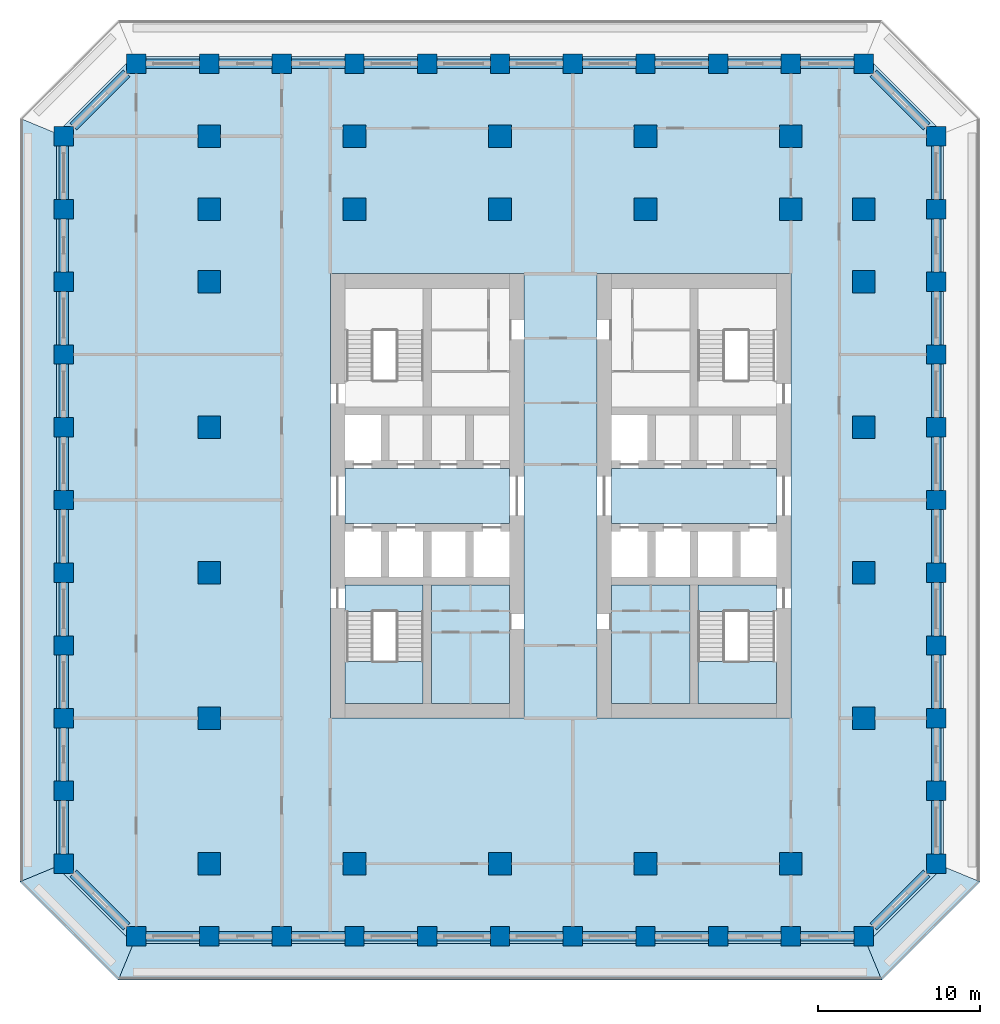
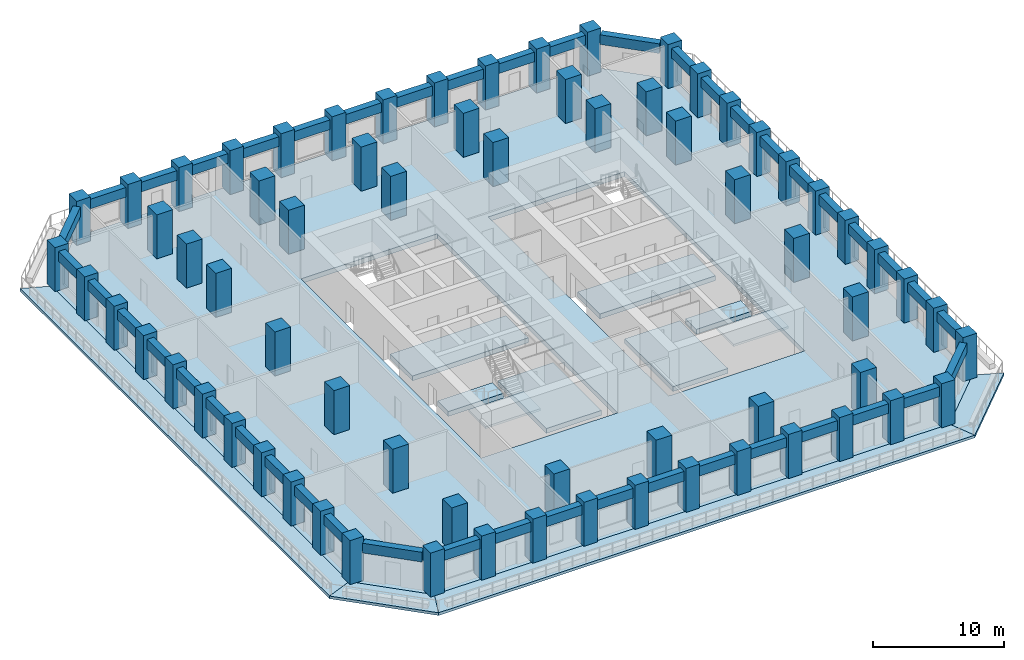
# One storey, part 1 of 16: 68 columns, 44 beams, 13 slabs, 2 elements without a shape of their own.
"""IFC4 building model written with IfcOpenShell, lengths in metres."""

from ifc_helpers import new_model, si_unit, direction, frame, origin, origin_2d, place, context, subcontext, project, spatial, polyline, rectangle, outline, extrude, material, layer, layer_set, material_profile, profile_set, type_object, element, aggregate, save


model = new_model("IFC4")

# Units and contexts
model_context = context("Model", 3, precision=1e-05, world=origin(), true_north=direction((0.0, 1.0)))
body_context = subcontext(model_context, "Body", "Model", "MODEL_VIEW")
ifc_project = project(units=[si_unit("LENGTHUNIT", "METRE"), si_unit("AREAUNIT", "SQUARE_METRE"), si_unit("VOLUMEUNIT", "CUBIC_METRE"), si_unit("PLANEANGLEUNIT", "RADIAN"), si_unit("MASSUNIT", "GRAM", prefix="KILO")], contexts=[model_context])

# Site, building, storey
site_placement = place(None, origin())
site = spatial("IfcSite", under=ifc_project, at=site_placement, CompositionType="ELEMENT")
building_placement = place(site_placement, origin())
building = spatial("IfcBuilding", under=site, at=building_placement, Name="Corbel Stack Research Tower", CompositionType="ELEMENT")
storey_placement = place(building_placement, frame((0.0, 0.0, 137.199951171875)))
storey = spatial("IfcBuildingStorey", under=building, at=storey_placement, Name="L31", CompositionType="ELEMENT", Elevation=137.199951171875)

# Columns
ifc_material_1 = material(Name="Concrete C70/85", Category="concrete")
ifc_material_profile_1 = material_profile(ifc_material_1, rectangle(XDim=1.199951171875, YDim=1.199951171875, at=origin_2d()), Name="RC 1200 x 1200")
ifc_profile_set_1 = profile_set([ifc_material_profile_1], Name="Concrete C70/85")
column_type_1 = type_object("IfcColumnType", Name="C-1200-70", PredefinedType="COLUMN", material=ifc_profile_set_1)
for number, where, z_axis, x_axis, name in (
    (1, (-27.0, -18.0, 0.0), (0.0, 0.0, 1.0), (1.0, 0.0, 0.0), "Column 2/D L31"),
    (2, (-27.0, -13.5, 0.0), (0.0, 0.0, 1.0), (1.0, 0.0, 0.0), "Column 2/E L31"),
    (3, (-27.0, -9.0, 0.0), (0.0, 0.0, 1.0), (1.0, 0.0, 0.0), "Column 2/F L31"),
    (4, (-27.0, -4.5, 0.0), (0.0, 0.0, 1.0), (1.0, 0.0, 0.0), "Column 2/G L31"),
    (5, (-27.0, 0.0, 0.0), (0.0, 0.0, 1.0), (1.0, 0.0, 0.0), "Column 2/H L31"),
    (6, (-27.0, 4.5, 0.0), (0.0, 0.0, 1.0), (1.0, 0.0, 0.0), "Column 2/J L31"),
    (7, (-27.0, 9.0, 0.0), (0.0, 0.0, 1.0), (1.0, 0.0, 0.0), "Column 2/K L31"),
    (8, (-27.0, 13.5, 0.0), (0.0, 0.0, 1.0), (1.0, 0.0, 0.0), "Column 2/L L31"),
    (9, (-27.0, 18.0, 0.0), (0.0, 0.0, 1.0), (1.0, 0.0, 0.0), "Column 2/M L31"),
    (10, (-27.0, 22.5, 0.0), (0.0, 0.0, 1.0), (1.0, 0.0, 0.0), "Column 2/N L31"),
    (11, (-27.0, 27.0, 0.0), (0.0, 0.0, 1.0), (1.0, 0.0, 0.0), "Column 2/P L31"),
    (12, (-22.5, -22.5, 0.0), (0.0, 0.0, 1.0), (1.0, 0.0, 0.0), "Column 3/C L31"),
    (13, (-22.5, 31.5, 0.0), (0.0, 0.0, 1.0), (1.0, 0.0, 0.0), "Column 3/Q L31"),
    (14, (-18.0, -22.5, 0.0), (0.0, 0.0, 1.0), (1.0, 0.0, 0.0), "Column 4/C L31"),
    (15, (-18.0, 31.5, 0.0), (0.0, 0.0, 1.0), (1.0, 0.0, 0.0), "Column 4/Q L31"),
    (16, (-13.5, -22.5, 0.0), (0.0, 0.0, 1.0), (1.0, 0.0, 0.0), "Column 5/C L31"),
    (17, (-13.5, 31.5, 0.0), (0.0, 0.0, 1.0), (1.0, 0.0, 0.0), "Column 5/Q L31"),
    (18, (-9.0, -22.5, 0.0), (0.0, 0.0, 1.0), (1.0, 0.0, 0.0), "Column 6/C L31"),
    (19, (-9.0, 31.5, 0.0), (0.0, 0.0, 1.0), (1.0, 0.0, 0.0), "Column 6/Q L31"),
    (20, (-4.5, -22.5, 0.0), (0.0, 0.0, 1.0), (1.0, 0.0, 0.0), "Column 7/C L31"),
    (21, (-4.5, 31.5, 0.0), (0.0, 0.0, 1.0), (1.0, 0.0, 0.0), "Column 7/Q L31"),
    (22, (0.0, -22.5, 0.0), (0.0, 0.0, 1.0), (1.0, 0.0, 0.0), "Column 8/C L31"),
    (23, (0.0, 31.5, 0.0), (0.0, 0.0, 1.0), (1.0, 0.0, 0.0), "Column 8/Q L31"),
    (24, (4.5, -22.5, 0.0), (0.0, 0.0, 1.0), (1.0, 0.0, 0.0), "Column 9/C L31"),
    (25, (4.5, 31.5, 0.0), (0.0, 0.0, 1.0), (1.0, 0.0, 0.0), "Column 9/Q L31"),
    (26, (9.0, -22.5, 0.0), (0.0, 0.0, 1.0), (1.0, 0.0, 0.0), "Column 10/C L31"),
    (27, (9.0, 31.5, 0.0), (0.0, 0.0, 1.0), (1.0, 0.0, 0.0), "Column 10/Q L31"),
    (28, (13.5, -22.5, 0.0), (0.0, 0.0, 1.0), (1.0, 0.0, 0.0), "Column 11/C L31"),
    (29, (13.5, 31.5, 0.0), (0.0, 0.0, 1.0), (1.0, 0.0, 0.0), "Column 11/Q L31"),
    (30, (18.0, -22.5, 0.0), (0.0, 0.0, 1.0), (1.0, 0.0, 0.0), "Column 12/C L31"),
    (31, (18.0, 31.5, 0.0), (0.0, 0.0, 1.0), (1.0, 0.0, 0.0), "Column 12/Q L31"),
    (32, (22.5, -22.5, 0.0), (0.0, 0.0, 1.0), (1.0, 0.0, 0.0), "Column 13/C L31"),
    (33, (22.5, 31.5, 0.0), (0.0, 0.0, 1.0), (1.0, 0.0, 0.0), "Column 13/Q L31"),
    (34, (27.0, -18.0, 0.0), (0.0, 0.0, 1.0), (1.0, 0.0, 0.0), "Column 14/D L31"),
    (35, (27.0, -13.5, 0.0), (0.0, 0.0, 1.0), (1.0, 0.0, 0.0), "Column 14/E L31"),
    (36, (27.0, -9.0, 0.0), (0.0, 0.0, 1.0), (1.0, 0.0, 0.0), "Column 14/F L31"),
    (37, (27.0, -4.5, 0.0), (0.0, 0.0, 1.0), (1.0, 0.0, 0.0), "Column 14/G L31"),
    (38, (27.0, 0.0, 0.0), (0.0, 0.0, 1.0), (1.0, 0.0, 0.0), "Column 14/H L31"),
    (39, (27.0, 4.5, 0.0), (0.0, 0.0, 1.0), (1.0, 0.0, 0.0), "Column 14/J L31"),
    (40, (27.0, 9.0, 0.0), (0.0, 0.0, 1.0), (1.0, 0.0, 0.0), "Column 14/K L31"),
    (41, (27.0, 13.5, 0.0), (0.0, 0.0, 1.0), (1.0, 0.0, 0.0), "Column 14/L L31"),
    (42, (27.0, 18.0, 0.0), (0.0, 0.0, 1.0), (1.0, 0.0, 0.0), "Column 14/M L31"),
    (43, (27.0, 22.5, 0.0), (0.0, 0.0, 1.0), (1.0, 0.0, 0.0), "Column 14/N L31"),
    (44, (27.0, 27.0, 0.0), (0.0, 0.0, 1.0), (1.0, 0.0, 0.0), "Column 14/P L31"),
):
    element("IfcColumn", number, at=place(storey_placement, frame(where, z_axis=z_axis, x_axis=x_axis)), inside=storey, type_object=column_type_1, Name=name, PredefinedType="COLUMN", context=body_context, shape_type="SweptSolid", body=[
        extrude(rectangle(XDim=1.199951171875, YDim=1.199951171875, at=origin_2d()), origin(), (0.0, 0.0, 1.0), 4.10009765625),
    ])
ifc_material_2 = material(Name="Concrete C70/85", Category="concrete")
ifc_material_profile_2 = material_profile(ifc_material_2, rectangle(XDim=1.39990234375, YDim=1.39990234375, at=origin_2d()), Name="RC 1400 x 1400")
ifc_profile_set_2 = profile_set([ifc_material_profile_2], Name="Concrete C70/85")
column_type_2 = type_object("IfcColumnType", Name="C-1400-70", PredefinedType="COLUMN", material=ifc_profile_set_2)
for number, where, z_axis, x_axis, name in (
    (45, (-18.0, -18.0, 0.0), (0.0, 0.0, 1.0), (1.0, 0.0, 0.0), "Column 4/D L31"),
    (46, (-18.0, -9.0, 0.0), (0.0, 0.0, 1.0), (1.0, 0.0, 0.0), "Column 4/F L31"),
    (47, (-18.0, 0.0, 0.0), (0.0, 0.0, 1.0), (1.0, 0.0, 0.0), "Column 4/H L31"),
    (48, (-18.0, 9.0, 0.0), (0.0, 0.0, 1.0), (1.0, 0.0, 0.0), "Column 4/K L31"),
    (49, (-18.0, 18.0, 0.0), (0.0, 0.0, 1.0), (1.0, 0.0, 0.0), "Column 4/M L31"),
    (50, (-18.0, 22.5, 0.0), (0.0, 0.0, 1.0), (1.0, 0.0, 0.0), "Column 4/N L31"),
    (51, (-18.0, 27.0, 0.0), (0.0, 0.0, 1.0), (1.0, 0.0, 0.0), "Column 4/P L31"),
    (52, (-9.0, -18.0, 0.0), (0.0, 0.0, 1.0), (1.0, 0.0, 0.0), "Column 6/D L31"),
    (53, (-9.0, 22.5, 0.0), (0.0, 0.0, 1.0), (1.0, 0.0, 0.0), "Column 6/N L31"),
    (54, (-9.0, 27.0, 0.0), (0.0, 0.0, 1.0), (1.0, 0.0, 0.0), "Column 6/P L31"),
    (55, (0.0, -18.0, 0.0), (0.0, 0.0, 1.0), (1.0, 0.0, 0.0), "Column 8/D L31"),
    (56, (0.0, 22.5, 0.0), (0.0, 0.0, 1.0), (1.0, 0.0, 0.0), "Column 8/N L31"),
    (57, (0.0, 27.0, 0.0), (0.0, 0.0, 1.0), (1.0, 0.0, 0.0), "Column 8/P L31"),
    (58, (9.0, -18.0, 0.0), (0.0, 0.0, 1.0), (1.0, 0.0, 0.0), "Column 10/D L31"),
    (59, (9.0, 22.5, 0.0), (0.0, 0.0, 1.0), (1.0, 0.0, 0.0), "Column 10/N L31"),
    (60, (9.0, 27.0, 0.0), (0.0, 0.0, 1.0), (1.0, 0.0, 0.0), "Column 10/P L31"),
    (61, (18.0, -18.0, 0.0), (0.0, 0.0, 1.0), (1.0, 0.0, 0.0), "Column 12/D L31"),
    (62, (18.0, 22.5, 0.0), (0.0, 0.0, 1.0), (1.0, 0.0, 0.0), "Column 12/N L31"),
    (63, (18.0, 27.0, 0.0), (0.0, 0.0, 1.0), (1.0, 0.0, 0.0), "Column 12/P L31"),
    (64, (22.5, -9.0, 0.0), (0.0, 0.0, 1.0), (1.0, 0.0, 0.0), "Column 13/F L31"),
    (65, (22.5, 0.0, 0.0), (0.0, 0.0, 1.0), (1.0, 0.0, 0.0), "Column 13/H L31"),
    (66, (22.5, 9.0, 0.0), (0.0, 0.0, 1.0), (1.0, 0.0, 0.0), "Column 13/K L31"),
    (67, (22.5, 18.0, 0.0), (0.0, 0.0, 1.0), (1.0, 0.0, 0.0), "Column 13/M L31"),
    (68, (22.5, 22.5, 0.0), (0.0, 0.0, 1.0), (1.0, 0.0, 0.0), "Column 13/N L31"),
):
    element("IfcColumn", number, at=place(storey_placement, frame(where, z_axis=z_axis, x_axis=x_axis)), inside=storey, type_object=column_type_2, Name=name, PredefinedType="COLUMN", context=body_context, shape_type="SweptSolid", body=[
        extrude(rectangle(XDim=1.39990234375, YDim=1.39990234375, at=origin_2d()), origin(), (0.0, 0.0, 1.0), 4.10009765625),
    ])

# Beams
ifc_material_3 = material(Name="Concrete C60/75", Category="concrete")
ifc_material_profile_3 = material_profile(ifc_material_3, rectangle(XDim=0.60009765625, YDim=0.89990234375, at=origin_2d()), Name="RC 600 x 900")
ifc_profile_set_3 = profile_set([ifc_material_profile_3], Name="Concrete C60/75")
beam_type = type_object("IfcBeamType", Name="SB-600-900-450", PredefinedType="SPANDREL", material=ifc_profile_set_3)
for number, where, z_axis, x_axis, name in (
    (69, (-21.89990234375, -22.5, 3.199951171875), (1.0, 0.0, 0.0), (0.0, 1.0, 0.0), "Spandrel beam L31-01"),
    (70, (-17.39990234375, -22.5, 3.199951171875), (1.0, 0.0, 0.0), (0.0, 1.0, 0.0), "Spandrel beam L31-02"),
    (71, (-12.89990234375, -22.5, 3.199951171875), (1.0, 0.0, 0.0), (0.0, 1.0, 0.0), "Spandrel beam L31-03"),
    (72, (-8.39990234375, -22.5, 3.199951171875), (1.0, 0.0, 0.0), (0.0, 1.0, 0.0), "Spandrel beam L31-04"),
    (73, (-3.89990234375, -22.5, 3.199951171875), (1.0, 0.0, 0.0), (0.0, 1.0, 0.0), "Spandrel beam L31-05"),
    (74, (0.60009765625, -22.5, 3.199951171875), (1.0, 0.0, 0.0), (0.0, 1.0, 0.0), "Spandrel beam L31-06"),
    (75, (5.10009765625, -22.5, 3.199951171875), (1.0, 0.0, 0.0), (0.0, 1.0, 0.0), "Spandrel beam L31-07"),
    (76, (9.60009765625, -22.5, 3.199951171875), (1.0, 0.0, 0.0), (0.0, 1.0, 0.0), "Spandrel beam L31-08"),
    (77, (14.10009765625, -22.5, 3.199951171875), (1.0, 0.0, 0.0), (0.0, 1.0, 0.0), "Spandrel beam L31-09"),
    (78, (18.60009765625, -22.5, 3.199951171875), (1.0, 0.0, 0.0), (0.0, 1.0, 0.0), "Spandrel beam L31-10"),
):
    element("IfcBeam", number, at=place(storey_placement, frame(where, z_axis=z_axis, x_axis=x_axis)), inside=storey, type_object=beam_type, Name=name, PredefinedType="SPANDREL", context=body_context, shape_type="SweptSolid", body=[
        extrude(rectangle(XDim=0.60009765625, YDim=0.89990234375, at=origin_2d()), origin(), (0.0, 0.0, 1.0), 3.2998046875),
    ])
beam_1_placement = place(storey_placement, frame((23.10009765625, -21.89990234375, 3.199951171875), z_axis=(0.707106781187, 0.707106781187, 0.0), x_axis=(-0.707106781187, 0.707106781187, 0.0)))
element("IfcBeam", 79, at=beam_1_placement, inside=storey, type_object=beam_type, Name="Spandrel beam L31-11", PredefinedType="SPANDREL", context=body_context, shape_type="SweptSolid", body=[
    extrude(rectangle(XDim=0.60009765625, YDim=0.89990234375, at=origin_2d()), origin(), (0.0, 0.0, 1.0), 4.666748046875),
])
for number, where, z_axis, x_axis, name in (
    (80, (27.0, -17.39990234375, 3.199951171875), (0.0, 1.0, 0.0), (-1.0, 0.0, 0.0), "Spandrel beam L31-12"),
    (81, (27.0, -12.89990234375, 3.199951171875), (0.0, 1.0, 0.0), (-1.0, 0.0, 0.0), "Spandrel beam L31-13"),
    (82, (27.0, -8.39990234375, 3.199951171875), (0.0, 1.0, 0.0), (-1.0, 0.0, 0.0), "Spandrel beam L31-14"),
    (83, (27.0, -3.89990234375, 3.199951171875), (0.0, 1.0, 0.0), (-1.0, 0.0, 0.0), "Spandrel beam L31-15"),
    (84, (27.0, 0.60009765625, 3.199951171875), (0.0, 1.0, 0.0), (-1.0, 0.0, 0.0), "Spandrel beam L31-16"),
    (85, (27.0, 5.10009765625, 3.199951171875), (0.0, 1.0, 0.0), (-1.0, 0.0, 0.0), "Spandrel beam L31-17"),
    (86, (27.0, 9.60009765625, 3.199951171875), (0.0, 1.0, 0.0), (-1.0, 0.0, 0.0), "Spandrel beam L31-18"),
    (87, (27.0, 14.10009765625, 3.199951171875), (0.0, 1.0, 0.0), (-1.0, 0.0, 0.0), "Spandrel beam L31-19"),
    (88, (27.0, 18.60009765625, 3.199951171875), (0.0, 1.0, 0.0), (-1.0, 0.0, 0.0), "Spandrel beam L31-20"),
    (89, (27.0, 23.10009765625, 3.199951171875), (0.0, 1.0, 0.0), (-1.0, 0.0, 0.0), "Spandrel beam L31-21"),
):
    element("IfcBeam", number, at=place(storey_placement, frame(where, z_axis=z_axis, x_axis=x_axis)), inside=storey, type_object=beam_type, Name=name, PredefinedType="SPANDREL", context=body_context, shape_type="SweptSolid", body=[
        extrude(rectangle(XDim=0.60009765625, YDim=0.89990234375, at=origin_2d()), origin(), (0.0, 0.0, 1.0), 3.2998046875),
    ])
beam_2_placement = place(storey_placement, frame((26.39990234375, 27.60009765625, 3.199951171875), z_axis=(-0.707106781187, 0.707106781187, 0.0), x_axis=(-0.707106781187, -0.707106781187, 0.0)))
element("IfcBeam", 90, at=beam_2_placement, inside=storey, type_object=beam_type, Name="Spandrel beam L31-22", PredefinedType="SPANDREL", context=body_context, shape_type="SweptSolid", body=[
    extrude(rectangle(XDim=0.60009765625, YDim=0.89990234375, at=origin_2d()), origin(), (0.0, 0.0, 1.0), 4.666748046875),
])
for number, where, z_axis, x_axis, name in (
    (91, (21.89990234375, 31.5, 3.199951171875), (-1.0, 0.0, 0.0), (0.0, -1.0, 0.0), "Spandrel beam L31-23"),
    (92, (17.39990234375, 31.5, 3.199951171875), (-1.0, 0.0, 0.0), (0.0, -1.0, 0.0), "Spandrel beam L31-24"),
    (93, (12.89990234375, 31.5, 3.199951171875), (-1.0, 0.0, 0.0), (0.0, -1.0, 0.0), "Spandrel beam L31-25"),
    (94, (8.39990234375, 31.5, 3.199951171875), (-1.0, 0.0, 0.0), (0.0, -1.0, 0.0), "Spandrel beam L31-26"),
    (95, (3.89990234375, 31.5, 3.199951171875), (-1.0, 0.0, 0.0), (0.0, -1.0, 0.0), "Spandrel beam L31-27"),
    (96, (-0.60009765625, 31.5, 3.199951171875), (-1.0, 0.0, 0.0), (0.0, -1.0, 0.0), "Spandrel beam L31-28"),
    (97, (-5.10009765625, 31.5, 3.199951171875), (-1.0, 0.0, 0.0), (0.0, -1.0, 0.0), "Spandrel beam L31-29"),
    (98, (-9.60009765625, 31.5, 3.199951171875), (-1.0, 0.0, 0.0), (0.0, -1.0, 0.0), "Spandrel beam L31-30"),
    (99, (-14.10009765625, 31.5, 3.199951171875), (-1.0, 0.0, 0.0), (0.0, -1.0, 0.0), "Spandrel beam L31-31"),
    (100, (-18.60009765625, 31.5, 3.199951171875), (-1.0, 0.0, 0.0), (0.0, -1.0, 0.0), "Spandrel beam L31-32"),
):
    element("IfcBeam", number, at=place(storey_placement, frame(where, z_axis=z_axis, x_axis=x_axis)), inside=storey, type_object=beam_type, Name=name, PredefinedType="SPANDREL", context=body_context, shape_type="SweptSolid", body=[
        extrude(rectangle(XDim=0.60009765625, YDim=0.89990234375, at=origin_2d()), origin(), (0.0, 0.0, 1.0), 3.2998046875),
    ])
beam_3_placement = place(storey_placement, frame((-23.10009765625, 30.89990234375, 3.199951171875), z_axis=(-0.707106781187, -0.707106781187, 0.0), x_axis=(0.707106781187, -0.707106781187, 0.0)))
element("IfcBeam", 101, at=beam_3_placement, inside=storey, type_object=beam_type, Name="Spandrel beam L31-33", PredefinedType="SPANDREL", context=body_context, shape_type="SweptSolid", body=[
    extrude(rectangle(XDim=0.60009765625, YDim=0.89990234375, at=origin_2d()), origin(), (0.0, 0.0, 1.0), 4.666748046875),
])
for number, where, z_axis, x_axis, name in (
    (102, (-27.0, 26.39990234375, 3.199951171875), (0.0, -1.0, 0.0), (1.0, 0.0, 0.0), "Spandrel beam L31-34"),
    (103, (-27.0, 21.89990234375, 3.199951171875), (0.0, -1.0, 0.0), (1.0, 0.0, 0.0), "Spandrel beam L31-35"),
    (104, (-27.0, 17.39990234375, 3.199951171875), (0.0, -1.0, 0.0), (1.0, 0.0, 0.0), "Spandrel beam L31-36"),
    (105, (-27.0, 12.89990234375, 3.199951171875), (0.0, -1.0, 0.0), (1.0, 0.0, 0.0), "Spandrel beam L31-37"),
    (106, (-27.0, 8.39990234375, 3.199951171875), (0.0, -1.0, 0.0), (1.0, 0.0, 0.0), "Spandrel beam L31-38"),
    (107, (-27.0, 3.89990234375, 3.199951171875), (0.0, -1.0, 0.0), (1.0, 0.0, 0.0), "Spandrel beam L31-39"),
    (108, (-27.0, -0.60009765625, 3.199951171875), (0.0, -1.0, 0.0), (1.0, 0.0, 0.0), "Spandrel beam L31-40"),
    (109, (-27.0, -5.10009765625, 3.199951171875), (0.0, -1.0, 0.0), (1.0, 0.0, 0.0), "Spandrel beam L31-41"),
    (110, (-27.0, -9.60009765625, 3.199951171875), (0.0, -1.0, 0.0), (1.0, 0.0, 0.0), "Spandrel beam L31-42"),
    (111, (-27.0, -14.10009765625, 3.199951171875), (0.0, -1.0, 0.0), (1.0, 0.0, 0.0), "Spandrel beam L31-43"),
):
    element("IfcBeam", number, at=place(storey_placement, frame(where, z_axis=z_axis, x_axis=x_axis)), inside=storey, type_object=beam_type, Name=name, PredefinedType="SPANDREL", context=body_context, shape_type="SweptSolid", body=[
        extrude(rectangle(XDim=0.60009765625, YDim=0.89990234375, at=origin_2d()), origin(), (0.0, 0.0, 1.0), 3.2998046875),
    ])
beam_4_placement = place(storey_placement, frame((-26.39990234375, -18.60009765625, 3.199951171875), z_axis=(0.707106781187, -0.707106781187, 0.0), x_axis=(0.707106781187, 0.707106781187, 0.0)))
element("IfcBeam", 112, at=beam_4_placement, inside=storey, type_object=beam_type, Name="Spandrel beam L31-44", PredefinedType="SPANDREL", context=body_context, shape_type="SweptSolid", body=[
    extrude(rectangle(XDim=0.60009765625, YDim=0.89990234375, at=origin_2d()), origin(), (0.0, 0.0, 1.0), 4.666748046875),
])

# Slabs
ifc_material_4 = material(Name="Concrete C45/55", Category="concrete")
ifc_layer_1 = layer(ifc_material_4, 0.25)
ifc_layer_set_1 = layer_set([ifc_layer_1], Name="Concrete C45/55")
slab_type_1 = type_object("IfcSlabType", Name="PT balcony slab 250 C45/55", PredefinedType="FLOOR", material=ifc_layer_set_1)
slab_1_placement = place(storey_placement, frame((0.0, 0.0, -0.25)))
element("IfcSlab", 113, at=slab_1_placement, inside=storey, type_object=slab_type_1, Name="Loggia slab L31 S", PredefinedType="FLOOR", context=body_context, shape_type="SweptSolid", body=[
    extrude(outline(polyline([(22.74853515625, -23.10009765625), (21.89990234375, -23.10009765625), (21.89990234375, -22.949951171875), (18.60009765625, -22.949951171875), (18.60009765625, -23.10009765625), (17.39990234375, -23.10009765625), (17.39990234375, -22.949951171875), (14.10009765625, -22.949951171875), (14.10009765625, -23.10009765625), (12.89990234375, -23.10009765625), (12.89990234375, -22.949951171875), (9.60009765625, -22.949951171875), (9.60009765625, -23.10009765625), (8.39990234375, -23.10009765625), (8.39990234375, -22.949951171875), (5.10009765625, -22.949951171875), (5.10009765625, -23.10009765625), (3.89990234375, -23.10009765625), (3.89990234375, -22.949951171875), (0.60009765625, -22.949951171875), (0.60009765625, -23.10009765625), (-0.60009765625, -23.10009765625), (-0.60009765625, -22.949951171875), (-3.89990234375, -22.949951171875), (-3.89990234375, -23.10009765625), (-5.10009765625, -23.10009765625), (-5.10009765625, -22.949951171875), (-8.39990234375, -22.949951171875), (-8.39990234375, -23.10009765625), (-9.60009765625, -23.10009765625), (-9.60009765625, -22.949951171875), (-12.89990234375, -22.949951171875), (-12.89990234375, -23.10009765625), (-14.10009765625, -23.10009765625), (-14.10009765625, -22.949951171875), (-17.39990234375, -22.949951171875), (-17.39990234375, -23.10009765625), (-18.60009765625, -23.10009765625), (-18.60009765625, -22.949951171875), (-21.89990234375, -22.949951171875), (-21.89990234375, -23.10009765625), (-22.74853515625, -23.10009765625), (-23.618408203125, -25.199951171875), (23.618408203125, -25.199951171875), (22.74853515625, -23.10009765625)])), origin(), (0.0, 0.0, 1.0), 0.25),
])
slab_2_placement = place(storey_placement, frame((0.0, 0.0, -0.25)))
element("IfcSlab", 114, at=slab_2_placement, inside=storey, type_object=slab_type_1, Name="Loggia slab L31 SE", PredefinedType="FLOOR", context=body_context, shape_type="SweptSolid", body=[
    extrude(outline(polyline([(27.60009765625, -18.24853515625), (27.60009765625, -18.60009765625), (27.036376953125, -18.60009765625), (23.10009765625, -22.536376953125), (23.10009765625, -23.10009765625), (22.74853515625, -23.10009765625), (23.618408203125, -25.199951171875), (29.699951171875, -19.118408203125), (27.60009765625, -18.24853515625)])), origin(), (0.0, 0.0, 1.0), 0.25),
])
slab_3_placement = place(storey_placement, frame((0.0, 0.0, -0.25)))
element("IfcSlab", 115, at=slab_3_placement, inside=storey, type_object=slab_type_1, Name="Loggia slab L31 W", PredefinedType="FLOOR", context=body_context, shape_type="SweptSolid", body=[
    extrude(outline(polyline([(-27.60009765625, -18.24853515625), (-27.60009765625, -17.39990234375), (-27.449951171875, -17.39990234375), (-27.449951171875, -14.10009765625), (-27.60009765625, -14.10009765625), (-27.60009765625, -12.89990234375), (-27.449951171875, -12.89990234375), (-27.449951171875, -9.60009765625), (-27.60009765625, -9.60009765625), (-27.60009765625, -8.39990234375), (-27.449951171875, -8.39990234375), (-27.449951171875, -5.10009765625), (-27.60009765625, -5.10009765625), (-27.60009765625, -3.89990234375), (-27.449951171875, -3.89990234375), (-27.449951171875, -0.60009765625), (-27.60009765625, -0.60009765625), (-27.60009765625, 0.60009765625), (-27.449951171875, 0.60009765625), (-27.449951171875, 3.89990234375), (-27.60009765625, 3.89990234375), (-27.60009765625, 5.10009765625), (-27.449951171875, 5.10009765625), (-27.449951171875, 8.39990234375), (-27.60009765625, 8.39990234375), (-27.60009765625, 9.60009765625), (-27.449951171875, 9.60009765625), (-27.449951171875, 12.89990234375), (-27.60009765625, 12.89990234375), (-27.60009765625, 14.10009765625), (-27.449951171875, 14.10009765625), (-27.449951171875, 17.39990234375), (-27.60009765625, 17.39990234375), (-27.60009765625, 18.60009765625), (-27.449951171875, 18.60009765625), (-27.449951171875, 21.89990234375), (-27.60009765625, 21.89990234375), (-27.60009765625, 23.10009765625), (-27.449951171875, 23.10009765625), (-27.449951171875, 26.39990234375), (-27.60009765625, 26.39990234375), (-27.60009765625, 27.24853515625), (-29.699951171875, 28.118408203125), (-29.699951171875, -19.118408203125), (-27.60009765625, -18.24853515625)])), origin(), (0.0, 0.0, 1.0), 0.25),
])
slab_4_placement = place(storey_placement, frame((0.0, 0.0, -0.25)))
element("IfcSlab", 116, at=slab_4_placement, inside=storey, type_object=slab_type_1, Name="Loggia slab L31 SW", PredefinedType="FLOOR", context=body_context, shape_type="SweptSolid", body=[
    extrude(outline(polyline([(-22.74853515625, -23.10009765625), (-23.10009765625, -23.10009765625), (-23.10009765625, -22.536376953125), (-27.036376953125, -18.60009765625), (-27.60009765625, -18.60009765625), (-27.60009765625, -18.24853515625), (-29.699951171875, -19.118408203125), (-23.618408203125, -25.199951171875), (-22.74853515625, -23.10009765625)])), origin(), (0.0, 0.0, 1.0), 0.25),
])
ifc_material_5 = material(Name="Concrete C45/55", Category="concrete")
ifc_layer_2 = layer(ifc_material_5, 0.449951171875)
ifc_layer_set_2 = layer_set([ifc_layer_2], Name="Concrete C45/55")
slab_type_2 = type_object("IfcSlabType", Name="PT-450", PredefinedType="FLOOR", material=ifc_layer_set_2)
slab_5_placement = place(storey_placement, frame((0.0, 0.0, -0.449951171875)))
element("IfcSlab", 117, at=slab_5_placement, inside=storey, type_object=slab_type_2, Name="Floor slab L31", PredefinedType="FLOOR", context=body_context, shape_type="SweptSolid", body=[
    extrude(outline(polyline([(-22.686279296875, -22.949951171875), (22.686279296875, -22.949951171875), (27.449951171875, -18.186279296875), (27.449951171875, 27.186279296875), (22.686279296875, 31.949951171875), (-22.686279296875, 31.949951171875), (-27.449951171875, 27.186279296875), (-27.449951171875, -18.186279296875), (-22.686279296875, -22.949951171875)]), holes=[polyline([(21.800048828125, 21.800048828125), (21.800048828125, 23.199951171875), (23.199951171875, 23.199951171875), (23.199951171875, 21.800048828125), (21.800048828125, 21.800048828125)]), polyline([(23.199951171875, 17.300048828125), (21.800048828125, 17.300048828125), (21.800048828125, 18.699951171875), (23.199951171875, 18.699951171875), (23.199951171875, 17.300048828125)]), polyline([(21.800048828125, 8.300048828125), (21.800048828125, 9.699951171875), (23.199951171875, 9.699951171875), (23.199951171875, 8.300048828125), (21.800048828125, 8.300048828125)]), polyline([(23.199951171875, -0.699951171875), (21.800048828125, -0.699951171875), (21.800048828125, 0.699951171875), (23.199951171875, 0.699951171875), (23.199951171875, -0.699951171875)]), polyline([(21.800048828125, -9.699951171875), (21.800048828125, -8.300048828125), (23.199951171875, -8.300048828125), (23.199951171875, -9.699951171875), (21.800048828125, -9.699951171875)]), polyline([(17.300048828125, 26.300048828125), (17.300048828125, 27.699951171875), (18.699951171875, 27.699951171875), (18.699951171875, 26.300048828125), (17.300048828125, 26.300048828125)]), polyline([(17.300048828125, 21.800048828125), (17.300048828125, 23.199951171875), (18.699951171875, 23.199951171875), (18.699951171875, 21.800048828125), (17.300048828125, 21.800048828125)]), polyline([(17.300048828125, -18.699951171875), (17.300048828125, -17.300048828125), (18.699951171875, -17.300048828125), (18.699951171875, -18.699951171875), (17.300048828125, -18.699951171875)]), polyline([(6.0, -9.0), (6.0, 18.5), (18.0, 18.5), (18.0, -9.0), (6.0, -9.0)]), polyline([(8.300048828125, 26.300048828125), (8.300048828125, 27.699951171875), (9.699951171875, 27.699951171875), (9.699951171875, 26.300048828125), (8.300048828125, 26.300048828125)]), polyline([(8.300048828125, 21.800048828125), (8.300048828125, 23.199951171875), (9.699951171875, 23.199951171875), (9.699951171875, 21.800048828125), (8.300048828125, 21.800048828125)]), polyline([(9.699951171875, -18.699951171875), (8.300048828125, -18.699951171875), (8.300048828125, -17.300048828125), (9.699951171875, -17.300048828125), (9.699951171875, -18.699951171875)]), polyline([(-10.5, -9.0), (-10.5, 18.5), (1.5, 18.5), (1.5, -9.0), (-10.5, -9.0)]), polyline([(-0.699951171875, 26.300048828125), (-0.699951171875, 27.699951171875), (0.699951171875, 27.699951171875), (0.699951171875, 26.300048828125), (-0.699951171875, 26.300048828125)]), polyline([(-0.699951171875, 21.800048828125), (-0.699951171875, 23.199951171875), (0.699951171875, 23.199951171875), (0.699951171875, 21.800048828125), (-0.699951171875, 21.800048828125)]), polyline([(-0.699951171875, -18.699951171875), (-0.699951171875, -17.300048828125), (0.699951171875, -17.300048828125), (0.699951171875, -18.699951171875), (-0.699951171875, -18.699951171875)]), polyline([(-9.699951171875, 26.300048828125), (-9.699951171875, 27.699951171875), (-8.300048828125, 27.699951171875), (-8.300048828125, 26.300048828125), (-9.699951171875, 26.300048828125)]), polyline([(-9.699951171875, 21.800048828125), (-9.699951171875, 23.199951171875), (-8.300048828125, 23.199951171875), (-8.300048828125, 21.800048828125), (-9.699951171875, 21.800048828125)]), polyline([(-9.699951171875, -18.699951171875), (-9.699951171875, -17.300048828125), (-8.300048828125, -17.300048828125), (-8.300048828125, -18.699951171875), (-9.699951171875, -18.699951171875)]), polyline([(-18.699951171875, 26.300048828125), (-18.699951171875, 27.699951171875), (-17.300048828125, 27.699951171875), (-17.300048828125, 26.300048828125), (-18.699951171875, 26.300048828125)]), polyline([(-18.699951171875, 21.800048828125), (-18.699951171875, 23.199951171875), (-17.300048828125, 23.199951171875), (-17.300048828125, 21.800048828125), (-18.699951171875, 21.800048828125)]), polyline([(-18.699951171875, 17.300048828125), (-18.699951171875, 18.699951171875), (-17.300048828125, 18.699951171875), (-17.300048828125, 17.300048828125), (-18.699951171875, 17.300048828125)]), polyline([(-17.300048828125, 8.300048828125), (-18.699951171875, 8.300048828125), (-18.699951171875, 9.699951171875), (-17.300048828125, 9.699951171875), (-17.300048828125, 8.300048828125)]), polyline([(-18.699951171875, -0.699951171875), (-18.699951171875, 0.699951171875), (-17.300048828125, 0.699951171875), (-17.300048828125, -0.699951171875), (-18.699951171875, -0.699951171875)]), polyline([(-17.300048828125, -9.699951171875), (-18.699951171875, -9.699951171875), (-18.699951171875, -8.300048828125), (-17.300048828125, -8.300048828125), (-17.300048828125, -9.699951171875)]), polyline([(-17.300048828125, -18.699951171875), (-18.699951171875, -18.699951171875), (-18.699951171875, -17.300048828125), (-17.300048828125, -17.300048828125), (-17.300048828125, -18.699951171875)])]), origin(), (0.0, 0.0, 1.0), 0.449951171875),
])
slab_6_placement = place(storey_placement, frame((0.0, 0.0, -0.449951171875)))
element("IfcSlab", 118, at=slab_6_placement, inside=storey, type_object=slab_type_2, Name="West core floor L31", PredefinedType="FLOOR", context=body_context, shape_type="SweptSolid", body=[
    extrude(outline(polyline([(0.60009765625, 6.449951171875), (-9.60009765625, 6.449951171875), (-9.60009765625, 3.050048828125), (0.60009765625, 3.050048828125), (0.60009765625, 6.449951171875)])), origin(), (0.0, 0.0, 1.0), 0.449951171875),
])
slab_7_placement = place(storey_placement, frame((0.0, 0.0, -0.449951171875)))
element("IfcSlab", 119, at=slab_7_placement, inside=storey, type_object=slab_type_2, Name="West core floor L31", PredefinedType="FLOOR", context=body_context, shape_type="SweptSolid", body=[
    extrude(outline(polyline([(0.60009765625, -8.10009765625), (0.60009765625, -0.75), (-4.25, -0.75), (-4.25, -8.10009765625), (0.60009765625, -8.10009765625)])), origin(), (0.0, 0.0, 1.0), 0.449951171875),
])
slab_8_placement = place(storey_placement, frame((0.0, 0.0, -0.449951171875)))
element("IfcSlab", 120, at=slab_8_placement, inside=storey, type_object=slab_type_2, Name="East core floor L31", PredefinedType="FLOOR", context=body_context, shape_type="SweptSolid", body=[
    extrude(outline(polyline([(11.75, -0.75), (6.89990234375, -0.75), (6.89990234375, -8.10009765625), (11.75, -8.10009765625), (11.75, -0.75)])), origin(), (0.0, 0.0, 1.0), 0.449951171875),
])
slab_9_placement = place(storey_placement, frame((0.0, 0.0, -0.449951171875)))
element("IfcSlab", 121, at=slab_9_placement, inside=storey, type_object=slab_type_2, Name="East core floor L31", PredefinedType="FLOOR", context=body_context, shape_type="SweptSolid", body=[
    extrude(outline(polyline([(6.89990234375, 6.449951171875), (6.89990234375, 3.050048828125), (17.10009765625, 3.050048828125), (17.10009765625, 6.449951171875), (6.89990234375, 6.449951171875)])), origin(), (0.0, 0.0, 1.0), 0.449951171875),
])
slab_10_placement = place(storey_placement, frame((0.0, 0.0, -0.449951171875)))
element("IfcSlab", 122, at=slab_10_placement, inside=storey, type_object=slab_type_2, Name="Stair floor landing ST-W1", PredefinedType="FLOOR", context=body_context, shape_type="SweptSolid", body=[
    extrude(outline(polyline([(-9.60009765625, -2.39990234375), (-4.75, -2.39990234375), (-4.75, -0.75), (-9.60009765625, -0.75), (-9.60009765625, -2.39990234375)])), origin(), (0.0, 0.0, 1.0), 0.449951171875),
])
slab_11_placement = place(storey_placement, frame((0.0, 0.0, -0.449951171875)))
element("IfcSlab", 123, at=slab_11_placement, inside=storey, type_object=slab_type_2, Name="Stair floor landing ST-E1", PredefinedType="FLOOR", context=body_context, shape_type="SweptSolid", body=[
    extrude(outline(polyline([(12.25, -2.39990234375), (17.10009765625, -2.39990234375), (17.10009765625, -0.75), (12.25, -0.75), (12.25, -2.39990234375)])), origin(), (0.0, 0.0, 1.0), 0.449951171875),
])

# Stair, slab
ifc_material_6 = material(Name="Concrete C40/50", Category="concrete")
stair_type = type_object("IfcStairType", Name="Exit stair 24 risers", PredefinedType="HALF_TURN_STAIR", material=ifc_material_6)
stair_1_placement = place(storey_placement, origin())
stair_1 = element("IfcStair", 124, at=stair_1_placement, inside=storey, type_object=stair_type, Name="L31 Exit stair ST-W1", PredefinedType="HALF_TURN_STAIR")
ifc_material_7 = material(Name="Concrete C40/50", Category="concrete")
ifc_layer_3 = layer(ifc_material_7, 0.199951171875)
ifc_layer_set_3 = layer_set([ifc_layer_3], Name="Concrete C40/50")
slab_type_3 = type_object("IfcSlabType", Name="Stair landing 200 C40/50", PredefinedType="LANDING", material=ifc_layer_set_3)
slab_12_placement = place(storey_placement, frame((0.0, 0.0, 1.85009765625)))
slab_12 = element("IfcSlab", 125, at=slab_12_placement, type_object=slab_type_3, Name="ST-W1 landing 1", PredefinedType="LANDING", context=body_context, shape_type="SweptSolid", body=[
    extrude(outline(polyline([(-9.60009765625, -8.10009765625), (-9.60009765625, -5.47998046875), (-4.75, -5.47998046875), (-4.75, -8.10009765625), (-9.60009765625, -8.10009765625)])), origin(), (0.0, 0.0, 1.0), 0.199951171875),
])
aggregate(stair_1, [slab_12])

stair_2_placement = place(storey_placement, origin())
stair_2 = element("IfcStair", 126, at=stair_2_placement, inside=storey, type_object=stair_type, Name="L31 Exit stair ST-E1", PredefinedType="HALF_TURN_STAIR")
slab_13_placement = place(storey_placement, frame((0.0, 0.0, 1.85009765625)))
slab_13 = element("IfcSlab", 127, at=slab_13_placement, type_object=slab_type_3, Name="ST-E1 landing 1", PredefinedType="LANDING", context=body_context, shape_type="SweptSolid", body=[
    extrude(outline(polyline([(12.25, -8.10009765625), (12.25, -5.47998046875), (17.10009765625, -5.47998046875), (17.10009765625, -8.10009765625), (12.25, -8.10009765625)])), origin(), (0.0, 0.0, 1.0), 0.199951171875),
])
aggregate(stair_2, [slab_13])

save(model, "model.ifc")
